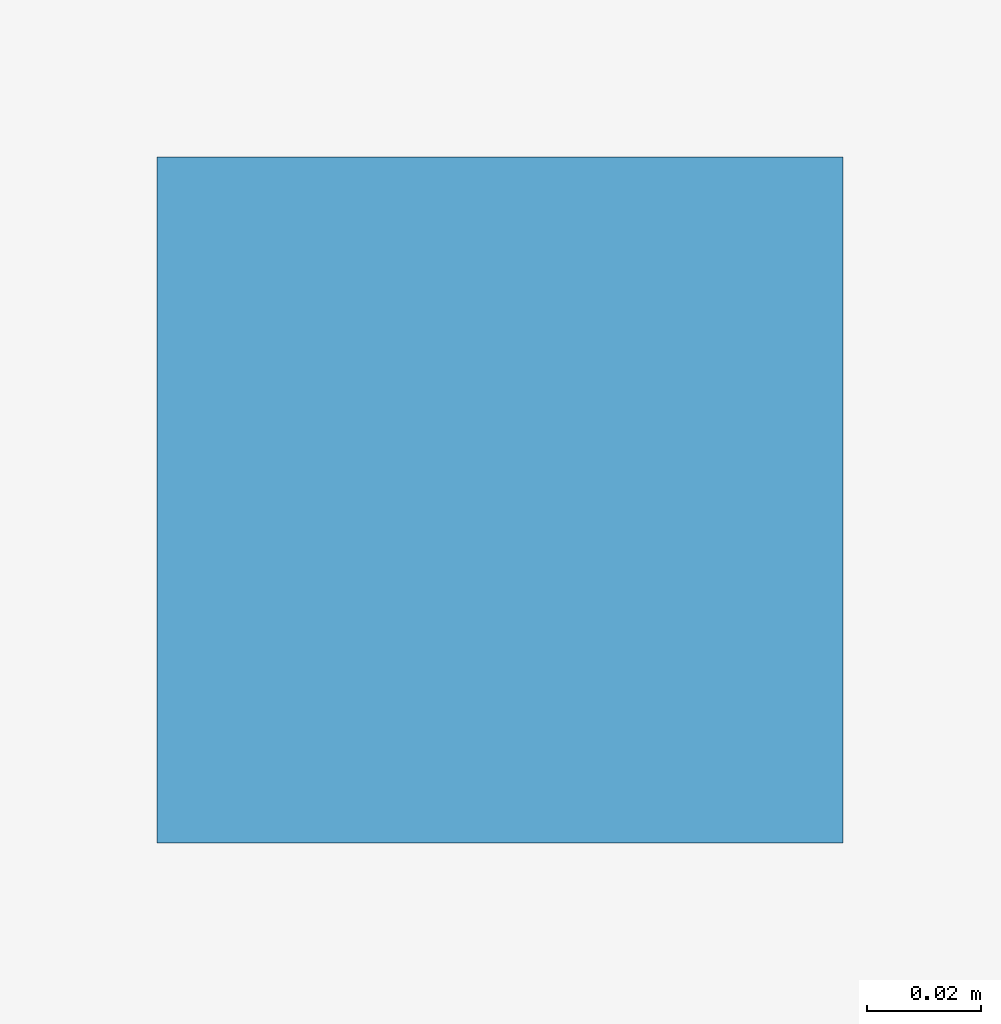
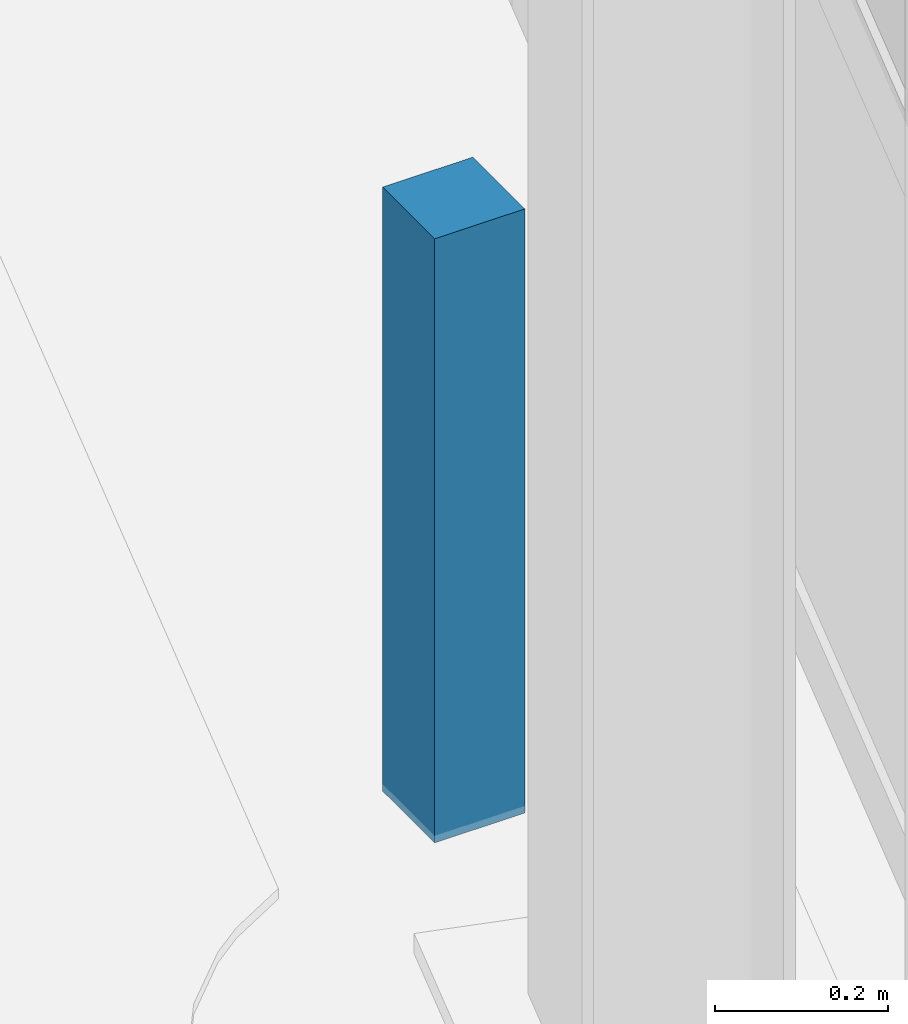
# One storey, part 105 of 113: 1 discrete accessory.
"""IFC4 building model written with IfcOpenShell, lengths in metres."""

import ifcopenshell
import ifcopenshell.guid

model = None  # the IFC model being written
_history = None  # IfcOwnerHistory: only IFC2X3 demands one
_inside = {}  # id of a spatial element -> (the spatial element, [elements in it])
_under = {}  # id of a project, library or spatial element -> (it, [spatial elements below it])
_declared = {}  # id of a project -> (the project, [libraries it declares])
_typed = {}  # id of a type object -> (the type object, [elements of that type])
_made_of = {}  # id of a material, layer set ... -> (it, [elements and type objects made of it])


def new_model(schema):
    """Start an empty IFC model of exactly this schema.

    Asked for "IFC4X3", IfcOpenShell would pick the latest addendum, in which some entities
    have other attributes; the version numbers below select the first issue.
    IFC2X3 requires an IfcOwnerHistory on every rooted entity: one is made here for all.
    """
    global model, _history
    if schema == "IFC4X3":
        model = ifcopenshell.file(schema_version=(4, 3, 0, 0))
    else:
        model = ifcopenshell.file(schema=schema)
    _inside.clear()
    _under.clear()
    _declared.clear()
    _typed.clear()
    _made_of.clear()
    _history = None
    if model.schema == "IFC2X3":
        org = make("IfcOrganization", Name="unknown")
        user = make(
            "IfcPersonAndOrganization",
            ThePerson=make("IfcPerson", FamilyName="unknown"),
            TheOrganization=org,
        )
        app = make(
            "IfcApplication",
            ApplicationDeveloper=org,
            Version="unknown",
            ApplicationFullName="unknown",
            ApplicationIdentifier="unknown",
        )
        _history = make(
            "IfcOwnerHistory",
            OwningUser=user,
            OwningApplication=app,
            ChangeAction="ADDED",
            CreationDate=0,
        )
    return model


def make(cls, **values):
    """One entity of the class cls with the attributes given. An attribute that is None is left unset."""
    return model.create_entity(
        cls, **{name: value for name, value in values.items() if value is not None}
    )


def rooted(cls, **values):
    """An entity with a GlobalId (a new one), such as an element, a storey or a relation."""
    return make(cls, GlobalId=ifcopenshell.guid.new(), OwnerHistory=_history, **values)


def si_unit(unit_type, name, prefix=None):
    """IfcSIUnit, for example si_unit("LENGTHUNIT", "METRE", prefix="MILLI")."""
    return make("IfcSIUnit", UnitType=unit_type, Prefix=prefix, Name=name)


def assignment(units):
    """IfcUnitAssignment: the units of a project."""
    return None if units is None else make("IfcUnitAssignment", Units=units)


def point(xyz):
    """IfcCartesianPoint."""
    return None if xyz is None else make("IfcCartesianPoint", Coordinates=xyz)


def direction(xyz):
    """IfcDirection."""
    return None if xyz is None else make("IfcDirection", DirectionRatios=xyz)


def frame(location, z_axis=None, x_axis=None):
    """IfcAxis2Placement3D, a coordinate frame: its origin and axes. An axis left out is left unset."""
    return make(
        "IfcAxis2Placement3D",
        Location=point(location),
        Axis=direction(z_axis),
        RefDirection=direction(x_axis),
    )


def frame_2d(location, x_axis=None):
    """IfcAxis2Placement2D, a coordinate frame in the plane: its origin and x axis."""
    return make(
        "IfcAxis2Placement2D", Location=point(location), RefDirection=direction(x_axis)
    )


def origin():
    """The frame at (0, 0, 0) with its axes left unset."""
    return frame((0.0, 0.0, 0.0))


def origin_2d():
    """The frame at (0, 0) in the plane with its x axis left unset."""
    return frame_2d((0.0, 0.0))


def place(relative_to, where):
    """IfcLocalPlacement: puts the frame where relative to a parent placement (None: the world)."""
    return make(
        "IfcLocalPlacement", PlacementRelTo=relative_to, RelativePlacement=where
    )


def context(
    kind, dimensions, precision=None, world=None, true_north=None, identifier=None
):
    """IfcGeometricRepresentationContext, for example the 3D "Model" context."""
    return make(
        "IfcGeometricRepresentationContext",
        ContextIdentifier=identifier,
        ContextType=kind,
        CoordinateSpaceDimension=dimensions,
        Precision=precision,
        WorldCoordinateSystem=world,
        TrueNorth=true_north,
    )


def subcontext(parent, identifier, kind, view, scale=None):
    """IfcGeometricRepresentationSubContext, for example "Body" below "Model"."""
    return make(
        "IfcGeometricRepresentationSubContext",
        ContextIdentifier=identifier,
        ContextType=kind,
        ParentContext=parent,
        TargetScale=scale,
        TargetView=view,
    )


def project(units=None, contexts=None):
    """IfcProject with its units and contexts."""
    return rooted(
        "IfcProject",
        Name="project",
        RepresentationContexts=contexts,
        UnitsInContext=assignment(units),
    )


def spatial(cls, under=None, at=None, **own):
    """A site, building, storey or space (cls), placed at a placement, below another one or the project."""
    s = rooted(cls, ObjectPlacement=at, **own)
    if under is not None:
        _under.setdefault(under.id(), (under, []))[1].append(s)
    return s


def profile(cls, at=None, kind="AREA", **sizes):
    """A parametric profile (cls). Its sizes go by their IFC names, for example OverallWidth=200.0."""
    return make(cls, ProfileType=kind, Position=at, **sizes)


def rectangle(**sizes):
    """IfcRectangleProfileDef."""
    return profile("IfcRectangleProfileDef", **sizes)


def extrude(swept, where, along, depth):
    """IfcExtrudedAreaSolid: the profile swept, set in the frame where, extruded along a direction by depth."""
    return make(
        "IfcExtrudedAreaSolid",
        SweptArea=swept,
        Position=where,
        ExtrudedDirection=direction(along),
        Depth=depth,
    )


def shape(context_of_items, identifier, shape_type, items):
    """IfcShapeRepresentation: the items that make up one representation, for example the "Body"."""
    return make(
        "IfcShapeRepresentation",
        ContextOfItems=context_of_items,
        RepresentationIdentifier=identifier,
        RepresentationType=shape_type,
        Items=items,
    )


def material(Name=None, Category=None):
    """IfcMaterial."""
    return make("IfcMaterial", Name=Name, Category=Category)


def made_of(thing, what):
    """Note that an element or type object is made of a material, layer set ...; save() writes the relation."""
    if what is not None:
        _made_of.setdefault(what.id(), (what, []))[1].append(thing)
    return thing


def type_object(cls, material=None, **own):
    """A type object (cls), such as IfcWallType, which elements share."""
    return made_of(rooted(cls, **own), material)


def element(
    cls,
    number,
    at=None,
    inside=None,
    cuts=None,
    type_object=None,
    material=None,
    context=None,
    identifier="Body",
    shape_type=None,
    held_by="IfcProductDefinitionShape",
    body=None,
    shapes=None,
    **own,
):
    """One element of the class cls, such as IfcWall. Its Tag is "e" and its number.

    at: its placement. inside: the storey or other place that contains it. cuts: it is an
    opening in that element (IfcRelVoidsElement). A single representation is given by context,
    identifier, shape_type and body (its items); several are given by shapes. held_by: the class
    of the entity that holds the representations. save() writes the other relations.
    """
    e = rooted(cls, Tag="e%d" % number, ObjectPlacement=at, **own)
    if body is not None:
        shapes = [shape(context, identifier, shape_type, body)]
    if shapes is not None:
        e.Representation = make(held_by, Representations=shapes)
    if inside is not None:
        _inside.setdefault(inside.id(), (inside, []))[1].append(e)
    if cuts is not None:
        rooted(
            "IfcRelVoidsElement", RelatingBuildingElement=cuts, RelatedOpeningElement=e
        )
    if type_object is not None:
        _typed.setdefault(type_object.id(), (type_object, []))[1].append(e)
    return made_of(e, material)


def aggregate(whole, parts):
    """IfcRelAggregates: a whole, such as a stair, and the parts it consists of."""
    return rooted("IfcRelAggregates", RelatingObject=whole, RelatedObjects=parts)


def save(model, path):
    """Write the relations noted so far, then the file.

    IfcRelAggregates (storeys below a building ...), IfcRelContainedInSpatialStructure (elements
    in a storey), IfcRelDefinesByType, IfcRelAssociatesMaterial and IfcRelDeclares: one each for
    every whole, place, type object, material and project.
    """
    for whole, parts in _under.values():
        aggregate(whole, parts)
    for where, things in _inside.values():
        rooted(
            "IfcRelContainedInSpatialStructure",
            RelatedElements=things,
            RelatingStructure=where,
        )
    for kind, things in _typed.values():
        rooted("IfcRelDefinesByType", RelatedObjects=things, RelatingType=kind)
    for what, things in _made_of.values():
        rooted("IfcRelAssociatesMaterial", RelatedObjects=things, RelatingMaterial=what)
    for by, libraries in _declared.values():
        rooted("IfcRelDeclares", RelatingContext=by, RelatedDefinitions=libraries)
    model.write(path)


model = new_model("IFC4")

# Units and contexts
model_context = context("Model", 3, precision=1e-05, world=origin(), true_north=direction((0.0, 1.0)))
body_context = subcontext(model_context, "Body", "Model", "MODEL_VIEW")
ifc_project = project(units=[si_unit("LENGTHUNIT", "METRE"), si_unit("AREAUNIT", "SQUARE_METRE"), si_unit("VOLUMEUNIT", "CUBIC_METRE"), si_unit("PLANEANGLEUNIT", "RADIAN"), si_unit("MASSUNIT", "GRAM", prefix="KILO")], contexts=[model_context])

# Site, building, storey
site_placement = place(None, origin())
site = spatial("IfcSite", under=ifc_project, at=site_placement, CompositionType="ELEMENT")
building_placement = place(site_placement, origin())
building = spatial("IfcBuilding", under=site, at=building_placement, Name="Wrenclough Park School", CompositionType="ELEMENT")
storey_placement = place(building_placement, origin())
storey = spatial("IfcBuildingStorey", under=building, at=storey_placement, Name="L00", CompositionType="ELEMENT", Elevation=0.0)

# Discrete accessory
ifc_material = material(Name="Galvanised steel acoustic ceiling suspension hanger", Category="steel")
discrete_accessory_type = type_object("IfcDiscreteAccessoryType", Name="INT-BRK-HGR", PredefinedType="BRACKET", material=ifc_material)
discrete_accessory_placement = place(storey_placement, frame((168.6884765625, 62.326416015625, 3.08984375), z_axis=(0.0, 0.0, 1.0), x_axis=(1.0, 0.0, 0.0)))
element("IfcDiscreteAccessory", 1, at=discrete_accessory_placement, inside=storey, type_object=discrete_accessory_type, Name="Acoustic ceiling hanger bracket 0017", PredefinedType="BRACKET", context=body_context, shape_type="SweptSolid", body=[
    extrude(rectangle(XDim=0.1201171875, YDim=0.1201171875, at=origin_2d()), origin(), (0.0, 0.0, 1.0), 0.85009765625),
])

save(model, "model.ifc")
